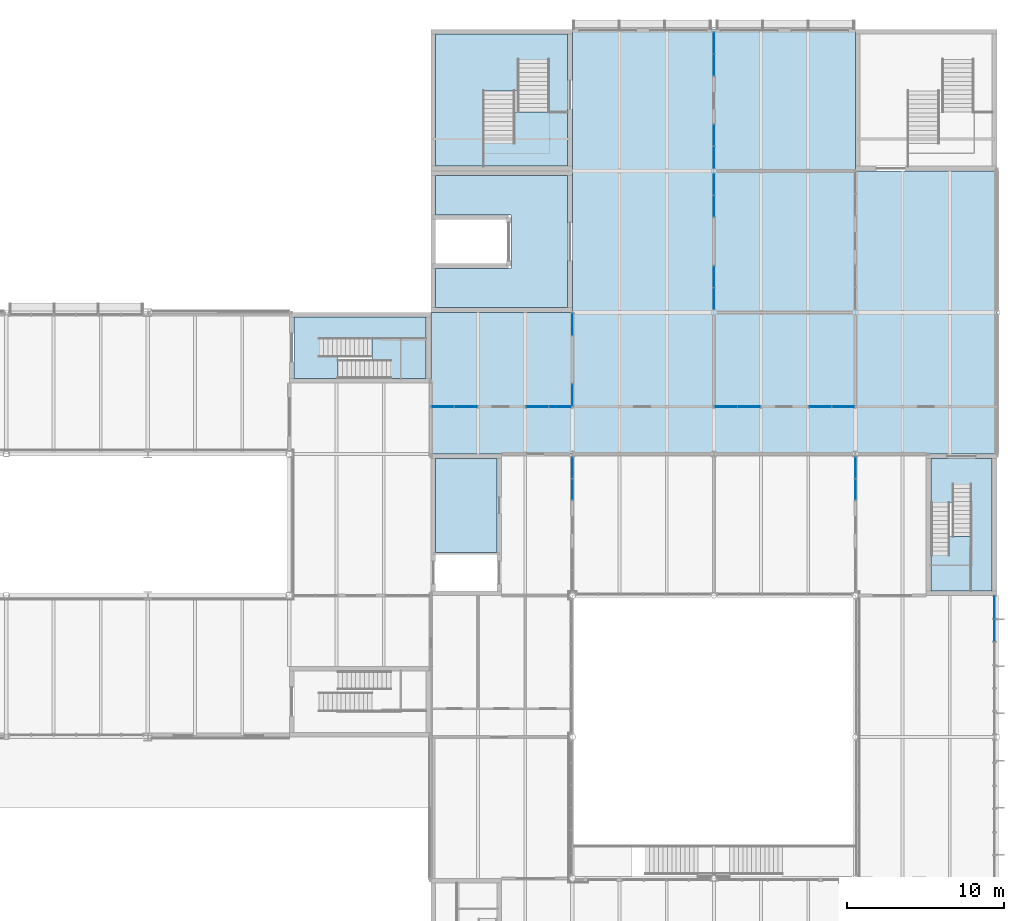
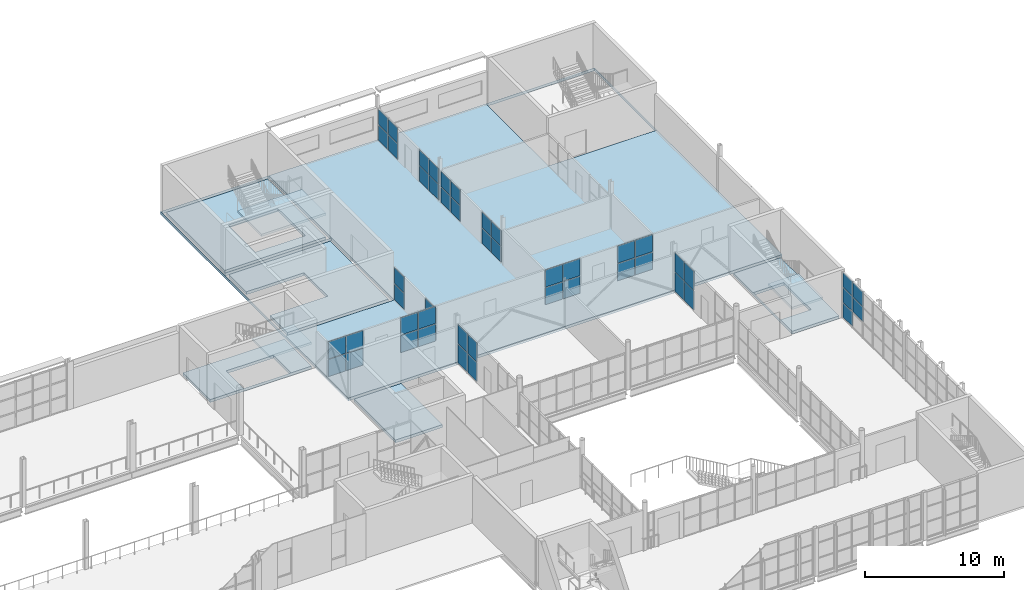
# One storey, part 31 of 57: 49 plates, 9 slabs, 16 elements without a shape of their own.
"""IFC4 building model written with IfcOpenShell, lengths in metres."""

import ifcopenshell
import ifcopenshell.guid

model = None  # the IFC model being written
_history = None  # IfcOwnerHistory: only IFC2X3 demands one
_inside = {}  # id of a spatial element -> (the spatial element, [elements in it])
_under = {}  # id of a project, library or spatial element -> (it, [spatial elements below it])
_declared = {}  # id of a project -> (the project, [libraries it declares])
_typed = {}  # id of a type object -> (the type object, [elements of that type])
_made_of = {}  # id of a material, layer set ... -> (it, [elements and type objects made of it])


def new_model(schema):
    """Start an empty IFC model of exactly this schema.

    Asked for "IFC4X3", IfcOpenShell would pick the latest addendum, in which some entities
    have other attributes; the version numbers below select the first issue.
    IFC2X3 requires an IfcOwnerHistory on every rooted entity: one is made here for all.
    """
    global model, _history
    if schema == "IFC4X3":
        model = ifcopenshell.file(schema_version=(4, 3, 0, 0))
    else:
        model = ifcopenshell.file(schema=schema)
    _inside.clear()
    _under.clear()
    _declared.clear()
    _typed.clear()
    _made_of.clear()
    _history = None
    if model.schema == "IFC2X3":
        org = make("IfcOrganization", Name="unknown")
        user = make(
            "IfcPersonAndOrganization",
            ThePerson=make("IfcPerson", FamilyName="unknown"),
            TheOrganization=org,
        )
        app = make(
            "IfcApplication",
            ApplicationDeveloper=org,
            Version="unknown",
            ApplicationFullName="unknown",
            ApplicationIdentifier="unknown",
        )
        _history = make(
            "IfcOwnerHistory",
            OwningUser=user,
            OwningApplication=app,
            ChangeAction="ADDED",
            CreationDate=0,
        )
    return model


def make(cls, **values):
    """One entity of the class cls with the attributes given. An attribute that is None is left unset."""
    return model.create_entity(
        cls, **{name: value for name, value in values.items() if value is not None}
    )


def rooted(cls, **values):
    """An entity with a GlobalId (a new one), such as an element, a storey or a relation."""
    return make(cls, GlobalId=ifcopenshell.guid.new(), OwnerHistory=_history, **values)


def si_unit(unit_type, name, prefix=None):
    """IfcSIUnit, for example si_unit("LENGTHUNIT", "METRE", prefix="MILLI")."""
    return make("IfcSIUnit", UnitType=unit_type, Prefix=prefix, Name=name)


def assignment(units):
    """IfcUnitAssignment: the units of a project."""
    return None if units is None else make("IfcUnitAssignment", Units=units)


def point(xyz):
    """IfcCartesianPoint."""
    return None if xyz is None else make("IfcCartesianPoint", Coordinates=xyz)


def direction(xyz):
    """IfcDirection."""
    return None if xyz is None else make("IfcDirection", DirectionRatios=xyz)


def frame(location, z_axis=None, x_axis=None):
    """IfcAxis2Placement3D, a coordinate frame: its origin and axes. An axis left out is left unset."""
    return make(
        "IfcAxis2Placement3D",
        Location=point(location),
        Axis=direction(z_axis),
        RefDirection=direction(x_axis),
    )


def frame_2d(location, x_axis=None):
    """IfcAxis2Placement2D, a coordinate frame in the plane: its origin and x axis."""
    return make(
        "IfcAxis2Placement2D", Location=point(location), RefDirection=direction(x_axis)
    )


def origin():
    """The frame at (0, 0, 0) with its axes left unset."""
    return frame((0.0, 0.0, 0.0))


def origin_2d():
    """The frame at (0, 0) in the plane with its x axis left unset."""
    return frame_2d((0.0, 0.0))


def place(relative_to, where):
    """IfcLocalPlacement: puts the frame where relative to a parent placement (None: the world)."""
    return make(
        "IfcLocalPlacement", PlacementRelTo=relative_to, RelativePlacement=where
    )


def context(
    kind, dimensions, precision=None, world=None, true_north=None, identifier=None
):
    """IfcGeometricRepresentationContext, for example the 3D "Model" context."""
    return make(
        "IfcGeometricRepresentationContext",
        ContextIdentifier=identifier,
        ContextType=kind,
        CoordinateSpaceDimension=dimensions,
        Precision=precision,
        WorldCoordinateSystem=world,
        TrueNorth=true_north,
    )


def subcontext(parent, identifier, kind, view, scale=None):
    """IfcGeometricRepresentationSubContext, for example "Body" below "Model"."""
    return make(
        "IfcGeometricRepresentationSubContext",
        ContextIdentifier=identifier,
        ContextType=kind,
        ParentContext=parent,
        TargetScale=scale,
        TargetView=view,
    )


def project(units=None, contexts=None):
    """IfcProject with its units and contexts."""
    return rooted(
        "IfcProject",
        Name="project",
        RepresentationContexts=contexts,
        UnitsInContext=assignment(units),
    )


def spatial(cls, under=None, at=None, **own):
    """A site, building, storey or space (cls), placed at a placement, below another one or the project."""
    s = rooted(cls, ObjectPlacement=at, **own)
    if under is not None:
        _under.setdefault(under.id(), (under, []))[1].append(s)
    return s


def polyline(points):
    """IfcPolyline through the points."""
    return make("IfcPolyline", Points=[point(p) for p in points])


def profile(cls, at=None, kind="AREA", **sizes):
    """A parametric profile (cls). Its sizes go by their IFC names, for example OverallWidth=200.0."""
    return make(cls, ProfileType=kind, Position=at, **sizes)


def rectangle(**sizes):
    """IfcRectangleProfileDef."""
    return profile("IfcRectangleProfileDef", **sizes)


def outline(outer, holes=None, kind="AREA"):
    """IfcArbitraryClosedProfileDef: a profile drawn as a closed curve; with holes, ...WithVoids."""
    if holes is None:
        return make("IfcArbitraryClosedProfileDef", ProfileType=kind, OuterCurve=outer)
    return make(
        "IfcArbitraryProfileDefWithVoids",
        ProfileType=kind,
        OuterCurve=outer,
        InnerCurves=holes,
    )


def extrude(swept, where, along, depth):
    """IfcExtrudedAreaSolid: the profile swept, set in the frame where, extruded along a direction by depth."""
    return make(
        "IfcExtrudedAreaSolid",
        SweptArea=swept,
        Position=where,
        ExtrudedDirection=direction(along),
        Depth=depth,
    )


def shape(context_of_items, identifier, shape_type, items):
    """IfcShapeRepresentation: the items that make up one representation, for example the "Body"."""
    return make(
        "IfcShapeRepresentation",
        ContextOfItems=context_of_items,
        RepresentationIdentifier=identifier,
        RepresentationType=shape_type,
        Items=items,
    )


def material(Name=None, Category=None):
    """IfcMaterial."""
    return make("IfcMaterial", Name=Name, Category=Category)


def layer(
    of_material, thickness, ventilated=None, Name=None, Category=None, Priority=None
):
    """IfcMaterialLayer: one layer of a wall or slab, of a material (None: an air gap)."""
    return make(
        "IfcMaterialLayer",
        Material=of_material,
        LayerThickness=thickness,
        IsVentilated=ventilated,
        Name=Name,
        Category=Category,
        Priority=Priority,
    )


def layer_set(layers, Name=None):
    """IfcMaterialLayerSet."""
    return make("IfcMaterialLayerSet", MaterialLayers=layers, LayerSetName=Name)


def made_of(thing, what):
    """Note that an element or type object is made of a material, layer set ...; save() writes the relation."""
    if what is not None:
        _made_of.setdefault(what.id(), (what, []))[1].append(thing)
    return thing


def type_object(cls, material=None, **own):
    """A type object (cls), such as IfcWallType, which elements share."""
    return made_of(rooted(cls, **own), material)


def element(
    cls,
    number,
    at=None,
    inside=None,
    cuts=None,
    type_object=None,
    material=None,
    context=None,
    identifier="Body",
    shape_type=None,
    held_by="IfcProductDefinitionShape",
    body=None,
    shapes=None,
    **own,
):
    """One element of the class cls, such as IfcWall. Its Tag is "e" and its number.

    at: its placement. inside: the storey or other place that contains it. cuts: it is an
    opening in that element (IfcRelVoidsElement). A single representation is given by context,
    identifier, shape_type and body (its items); several are given by shapes. held_by: the class
    of the entity that holds the representations. save() writes the other relations.
    """
    e = rooted(cls, Tag="e%d" % number, ObjectPlacement=at, **own)
    if body is not None:
        shapes = [shape(context, identifier, shape_type, body)]
    if shapes is not None:
        e.Representation = make(held_by, Representations=shapes)
    if inside is not None:
        _inside.setdefault(inside.id(), (inside, []))[1].append(e)
    if cuts is not None:
        rooted(
            "IfcRelVoidsElement", RelatingBuildingElement=cuts, RelatedOpeningElement=e
        )
    if type_object is not None:
        _typed.setdefault(type_object.id(), (type_object, []))[1].append(e)
    return made_of(e, material)


def aggregate(whole, parts):
    """IfcRelAggregates: a whole, such as a stair, and the parts it consists of."""
    return rooted("IfcRelAggregates", RelatingObject=whole, RelatedObjects=parts)


def save(model, path):
    """Write the relations noted so far, then the file.

    IfcRelAggregates (storeys below a building ...), IfcRelContainedInSpatialStructure (elements
    in a storey), IfcRelDefinesByType, IfcRelAssociatesMaterial and IfcRelDeclares: one each for
    every whole, place, type object, material and project.
    """
    for whole, parts in _under.values():
        aggregate(whole, parts)
    for where, things in _inside.values():
        rooted(
            "IfcRelContainedInSpatialStructure",
            RelatedElements=things,
            RelatingStructure=where,
        )
    for kind, things in _typed.values():
        rooted("IfcRelDefinesByType", RelatedObjects=things, RelatingType=kind)
    for what, things in _made_of.values():
        rooted("IfcRelAssociatesMaterial", RelatedObjects=things, RelatingMaterial=what)
    for by, libraries in _declared.values():
        rooted("IfcRelDeclares", RelatingContext=by, RelatedDefinitions=libraries)
    model.write(path)


model = new_model("IFC4")

# Units and contexts
model_context = context("Model", 3, precision=1e-05, world=origin(), true_north=direction((0.0, 1.0)))
body_context = subcontext(model_context, "Body", "Model", "MODEL_VIEW")
ifc_project = project(units=[si_unit("LENGTHUNIT", "METRE"), si_unit("AREAUNIT", "SQUARE_METRE"), si_unit("VOLUMEUNIT", "CUBIC_METRE"), si_unit("PLANEANGLEUNIT", "RADIAN"), si_unit("MASSUNIT", "GRAM", prefix="KILO")], contexts=[model_context])

# Site, building, storey
site_placement = place(None, origin())
site = spatial("IfcSite", under=ifc_project, at=site_placement, CompositionType="ELEMENT")
building_placement = place(site_placement, origin())
building = spatial("IfcBuilding", under=site, at=building_placement, Name="Halyard Row Museum", CompositionType="ELEMENT")
storey_placement = place(building_placement, frame((0.0, 0.0, 5.0)))
storey = spatial("IfcBuildingStorey", under=building, at=storey_placement, Name="L01", CompositionType="ELEMENT", Elevation=5.0)

# Slabs
ifc_material_1 = material(Name="Concrete 40 MPa", Category="concrete")
ifc_layer_1 = layer(ifc_material_1, 0.25)
ifc_layer_set_1 = layer_set([ifc_layer_1], Name="Concrete 40 MPa")
slab_type_1 = type_object("IfcSlabType", Name="Composite floor slab heavy duty", PredefinedType="FLOOR", material=ifc_layer_set_1)
slab_1_placement = place(storey_placement, frame((0.0, 0.0, -0.25)))
element("IfcSlab", 1, at=slab_1_placement, inside=storey, type_object=slab_type_1, Name="Floor slab L01-03", PredefinedType="FLOOR", context=body_context, shape_type="SweptSolid", body=[
    extrude(outline(polyline([(72.0, 36.0), (108.0, 36.0), (108.0, 63.0), (72.0, 63.0), (72.0, 36.0)]), holes=[polyline([(72.0048828125, 45.0048828125), (72.0048828125, 53.9951171875), (80.9951171875, 53.9951171875), (80.9951171875, 45.0048828125), (72.0048828125, 45.0048828125)]), polyline([(72.0048828125, 54.0048828125), (72.0048828125, 62.9951171875), (80.9951171875, 62.9951171875), (80.9951171875, 54.0048828125), (72.0048828125, 54.0048828125)]), polyline([(99.0048828125, 54.0048828125), (99.0048828125, 62.9951171875), (107.9951171875, 62.9951171875), (107.9951171875, 54.0048828125), (99.0048828125, 54.0048828125)])]), origin(), (0.0, 0.0, 1.0), 0.25),
])
ifc_material_2 = material(Name="Concrete 40 MPa", Category="concrete")
ifc_layer_2 = layer(ifc_material_2, 0.25)
ifc_layer_set_2 = layer_set([ifc_layer_2], Name="Concrete 40 MPa")
slab_type_2 = type_object("IfcSlabType", Name="Core floor slab 250", PredefinedType="FLOOR", material=ifc_layer_set_2)
slab_2_placement = place(storey_placement, frame((0.0, 0.0, -0.25)))
element("IfcSlab", 2, at=slab_2_placement, inside=storey, type_object=slab_type_2, Name="Core floor K1B L01", PredefinedType="FLOOR", context=body_context, shape_type="SweptSolid", body=[
    extrude(outline(polyline([(71.699951171875, 44.699951171875), (63.300048828125, 44.699951171875), (63.300048828125, 40.800048828125), (71.699951171875, 40.800048828125), (71.699951171875, 44.699951171875)]), holes=[polyline([(70.01708984375, 40.802978515625), (66.10302734375, 40.802978515625), (66.10302734375, 43.346923828125), (70.01708984375, 43.346923828125), (70.01708984375, 40.802978515625)])]), origin(), (0.0, 0.0, 1.0), 0.25),
])
slab_3_placement = place(storey_placement, frame((0.0, 0.0, -0.25)))
element("IfcSlab", 3, at=slab_3_placement, inside=storey, type_object=slab_type_2, Name="Core floor K2C L01", PredefinedType="FLOOR", context=body_context, shape_type="SweptSolid", body=[
    extrude(outline(polyline([(107.699951171875, 35.699951171875), (103.800048828125, 35.699951171875), (103.800048828125, 27.300048828125), (107.699951171875, 27.300048828125), (107.699951171875, 35.699951171875)]), holes=[polyline([(103.802978515625, 28.98291015625), (103.802978515625, 32.89697265625), (106.346923828125, 32.89697265625), (106.346923828125, 28.98291015625), (103.802978515625, 28.98291015625)])]), origin(), (0.0, 0.0, 1.0), 0.25),
])
slab_4_placement = place(storey_placement, frame((0.0, 0.0, -0.25)))
element("IfcSlab", 4, at=slab_4_placement, inside=storey, type_object=slab_type_2, Name="Core floor K5A L01", PredefinedType="FLOOR", context=body_context, shape_type="SweptSolid", body=[
    extrude(outline(polyline([(80.699951171875, 62.699951171875), (72.300048828125, 62.699951171875), (72.300048828125, 54.300048828125), (80.699951171875, 54.300048828125), (80.699951171875, 62.699951171875)]), holes=[polyline([(75.35302734375, 55.18310546875), (75.35302734375, 59.096923828125), (79.4970703125, 59.096923828125), (79.4970703125, 55.18310546875), (75.35302734375, 55.18310546875)])]), origin(), (0.0, 0.0, 1.0), 0.25),
])
slab_5_placement = place(storey_placement, frame((0.0, 0.0, -0.25)))
element("IfcSlab", 5, at=slab_5_placement, inside=storey, type_object=slab_type_2, Name="Core floor K8 L01", PredefinedType="FLOOR", context=body_context, shape_type="SweptSolid", body=[
    extrude(outline(polyline([(80.699951171875, 53.699951171875), (72.300048828125, 53.699951171875), (72.300048828125, 51.199951171875), (77.10009765625, 51.199951171875), (77.10009765625, 47.800048828125), (72.300048828125, 47.800048828125), (72.300048828125, 45.300048828125), (80.699951171875, 45.300048828125), (80.699951171875, 53.699951171875)])), origin(), (0.0, 0.0, 1.0), 0.25),
])
slab_6_placement = place(storey_placement, frame((0.0, 0.0, -0.25)))
element("IfcSlab", 6, at=slab_6_placement, inside=storey, type_object=slab_type_2, Name="Core floor K7 L01", PredefinedType="FLOOR", context=body_context, shape_type="SweptSolid", body=[
    extrude(outline(polyline([(76.199951171875, 35.699951171875), (72.300048828125, 35.699951171875), (72.300048828125, 29.75), (76.199951171875, 29.75), (76.199951171875, 35.699951171875)])), origin(), (0.0, 0.0, 1.0), 0.25),
])

# Curtain wall, plates
ifc_material_3 = material(Name="Double glazed unit, low-emissivity", Category="glass")
ifc_layer_3 = layer(ifc_material_3, 0.219970703125)
ifc_layer_set_3 = layer_set([ifc_layer_3], Name="Double glazed unit, low-emissivity")
curtain_wall_type_1 = type_object("IfcCurtainWallType", Name="Curtain wall unitised 220 deep", PredefinedType="NOTDEFINED", material=ifc_layer_set_3)
curtain_wall_1_placement = place(storey_placement, origin())
curtain_wall_1 = element("IfcCurtainWall", 7, at=curtain_wall_1_placement, inside=storey, type_object=curtain_wall_type_1, Name="Curtain wall CW021", PredefinedType="NOTDEFINED")
ifc_material_4 = material(Name="Double glazed unit, low-emissivity", Category="glass")
ifc_layer_4 = layer(ifc_material_4, 0.035888671875)
ifc_layer_set_4 = layer_set([ifc_layer_4], Name="Double glazed unit, low-emissivity")
plate_type_1 = type_object("IfcPlateType", Name="Curtain wall glazed panel CP3 36", PredefinedType="CURTAIN_PANEL", material=ifc_layer_set_4)
plate_1_placement = place(storey_placement, frame((107.840087890625, 24.78759765625, 1.375), z_axis=(0.0, 0.0, 1.0), x_axis=(0.0, 1.0, 0.0)))
plate_1 = element("IfcPlate", 8, at=plate_1_placement, type_object=plate_type_1, Name="CW021 panel 5.2", PredefinedType="CURTAIN_PANEL", context=body_context, shape_type="SweptSolid", body=[
    extrude(rectangle(XDim=1.4150390625, YDim=0.035888671875, at=origin_2d()), origin(), (0.0, 0.0, 1.0), 1.284912109375),
])
plate_2_placement = place(storey_placement, frame((107.840087890625, 24.78759765625, 2.719970703125), z_axis=(0.0, 0.0, 1.0), x_axis=(0.0, 1.0, 0.0)))
plate_2 = element("IfcPlate", 9, at=plate_2_placement, type_object=plate_type_1, Name="CW021 panel 5.3", PredefinedType="CURTAIN_PANEL", context=body_context, shape_type="SweptSolid", body=[
    extrude(rectangle(XDim=1.4150390625, YDim=0.035888671875, at=origin_2d()), origin(), (0.0, 0.0, 1.0), 1.2548828125),
])
plate_3_placement = place(storey_placement, frame((107.840087890625, 26.24755859375, 0.06005859375), z_axis=(0.0, 0.0, 1.0), x_axis=(0.0, 1.0, 0.0)))
plate_3 = element("IfcPlate", 10, at=plate_3_placement, type_object=plate_type_1, Name="CW021 panel 6.1", PredefinedType="CURTAIN_PANEL", context=body_context, shape_type="SweptSolid", body=[
    extrude(rectangle(XDim=1.385009765625, YDim=0.035888671875, at=origin_2d()), origin(), (0.0, 0.0, 1.0), 1.2548828125),
])
plate_4_placement = place(storey_placement, frame((107.840087890625, 26.24755859375, 1.375), z_axis=(0.0, 0.0, 1.0), x_axis=(0.0, 1.0, 0.0)))
plate_4 = element("IfcPlate", 11, at=plate_4_placement, type_object=plate_type_1, Name="CW021 panel 6.2", PredefinedType="CURTAIN_PANEL", context=body_context, shape_type="SweptSolid", body=[
    extrude(rectangle(XDim=1.385009765625, YDim=0.035888671875, at=origin_2d()), origin(), (0.0, 0.0, 1.0), 1.284912109375),
])
plate_5_placement = place(storey_placement, frame((107.840087890625, 26.24755859375, 2.719970703125), z_axis=(0.0, 0.0, 1.0), x_axis=(0.0, 1.0, 0.0)))
plate_5 = element("IfcPlate", 12, at=plate_5_placement, type_object=plate_type_1, Name="CW021 panel 6.3", PredefinedType="CURTAIN_PANEL", context=body_context, shape_type="SweptSolid", body=[
    extrude(rectangle(XDim=1.385009765625, YDim=0.035888671875, at=origin_2d()), origin(), (0.0, 0.0, 1.0), 1.2548828125),
])
aggregate(curtain_wall_1, [plate_1, plate_2, plate_3, plate_4, plate_5])

ifc_material_5 = material(Name="Fire-resisting laminated glazing", Category="glass")
ifc_layer_5 = layer(ifc_material_5, 0.159912109375)
ifc_layer_set_5 = layer_set([ifc_layer_5], Name="Fire-resisting laminated glazing")
curtain_wall_type_2 = type_object("IfcCurtainWallType", Name="Curtain wall atrium screen 160 deep", PredefinedType="NOTDEFINED", material=ifc_layer_set_5)
curtain_wall_2_placement = place(storey_placement, origin())
curtain_wall_2 = element("IfcCurtainWall", 13, at=curtain_wall_2_placement, inside=storey, type_object=curtain_wall_type_2, Name="Curtain wall CW145", PredefinedType="NOTDEFINED")
ifc_material_6 = material(Name="Fire-resisting laminated glazing", Category="glass")
ifc_layer_6 = layer(ifc_material_6, 0.0400390625)
ifc_layer_set_6 = layer_set([ifc_layer_6], Name="Fire-resisting laminated glazing")
plate_type_2 = type_object("IfcPlateType", Name="Curtain wall glazed panel CP5 40", PredefinedType="CURTAIN_PANEL", material=ifc_layer_set_6)
plate_6_placement = place(storey_placement, frame((81.0, 33.739013671875, 0.06005859375), z_axis=(0.0, 0.0, 1.0), x_axis=(0.0, 1.0, 0.0)))
plate_6 = element("IfcPlate", 14, at=plate_6_placement, type_object=plate_type_2, Name="CW145 panel 1.1", PredefinedType="CURTAIN_PANEL", context=body_context, shape_type="SweptSolid", body=[
    extrude(rectangle(XDim=1.318359375, YDim=0.0400390625, at=origin_2d()), origin(), (0.0, 0.0, 1.0), 1.660888671875),
])
plate_7_placement = place(storey_placement, frame((81.0, 33.739013671875, 1.78125), z_axis=(0.0, 0.0, 1.0), x_axis=(0.0, 1.0, 0.0)))
plate_7 = element("IfcPlate", 15, at=plate_7_placement, type_object=plate_type_2, Name="CW145 panel 1.2", PredefinedType="CURTAIN_PANEL", context=body_context, shape_type="SweptSolid", body=[
    extrude(rectangle(XDim=1.318359375, YDim=0.0400390625, at=origin_2d()), origin(), (0.0, 0.0, 1.0), 1.660888671875),
])
plate_8_placement = place(storey_placement, frame((81.0, 35.1171875, 0.06005859375), z_axis=(0.0, 0.0, 1.0), x_axis=(0.0, 1.0, 0.0)))
plate_8 = element("IfcPlate", 16, at=plate_8_placement, type_object=plate_type_2, Name="CW145 panel 2.1", PredefinedType="CURTAIN_PANEL", context=body_context, shape_type="SweptSolid", body=[
    extrude(rectangle(XDim=1.318359375, YDim=0.0400390625, at=origin_2d()), origin(), (0.0, 0.0, 1.0), 1.660888671875),
])
plate_9_placement = place(storey_placement, frame((81.0, 35.1171875, 1.78125), z_axis=(0.0, 0.0, 1.0), x_axis=(0.0, 1.0, 0.0)))
plate_9 = element("IfcPlate", 17, at=plate_9_placement, type_object=plate_type_2, Name="CW145 panel 2.2", PredefinedType="CURTAIN_PANEL", context=body_context, shape_type="SweptSolid", body=[
    extrude(rectangle(XDim=1.318359375, YDim=0.0400390625, at=origin_2d()), origin(), (0.0, 0.0, 1.0), 1.660888671875),
])
aggregate(curtain_wall_2, [plate_6, plate_7, plate_8, plate_9])

curtain_wall_3_placement = place(storey_placement, origin())
curtain_wall_3 = element("IfcCurtainWall", 18, at=curtain_wall_3_placement, inside=storey, type_object=curtain_wall_type_2, Name="Curtain wall CW147", PredefinedType="NOTDEFINED")
plate_10_placement = place(storey_placement, frame((99.0, 33.739013671875, 0.06005859375), z_axis=(0.0, 0.0, 1.0), x_axis=(0.0, 1.0, 0.0)))
plate_10 = element("IfcPlate", 19, at=plate_10_placement, type_object=plate_type_2, Name="CW147 panel 1.1", PredefinedType="CURTAIN_PANEL", context=body_context, shape_type="SweptSolid", body=[
    extrude(rectangle(XDim=1.318359375, YDim=0.0400390625, at=origin_2d()), origin(), (0.0, 0.0, 1.0), 1.660888671875),
])
plate_11_placement = place(storey_placement, frame((99.0, 33.739013671875, 1.78125), z_axis=(0.0, 0.0, 1.0), x_axis=(0.0, 1.0, 0.0)))
plate_11 = element("IfcPlate", 20, at=plate_11_placement, type_object=plate_type_2, Name="CW147 panel 1.2", PredefinedType="CURTAIN_PANEL", context=body_context, shape_type="SweptSolid", body=[
    extrude(rectangle(XDim=1.318359375, YDim=0.0400390625, at=origin_2d()), origin(), (0.0, 0.0, 1.0), 1.660888671875),
])
plate_12_placement = place(storey_placement, frame((99.0, 35.1171875, 0.06005859375), z_axis=(0.0, 0.0, 1.0), x_axis=(0.0, 1.0, 0.0)))
plate_12 = element("IfcPlate", 21, at=plate_12_placement, type_object=plate_type_2, Name="CW147 panel 2.1", PredefinedType="CURTAIN_PANEL", context=body_context, shape_type="SweptSolid", body=[
    extrude(rectangle(XDim=1.318359375, YDim=0.0400390625, at=origin_2d()), origin(), (0.0, 0.0, 1.0), 1.660888671875),
])
plate_13_placement = place(storey_placement, frame((99.0, 35.1171875, 1.78125), z_axis=(0.0, 0.0, 1.0), x_axis=(0.0, 1.0, 0.0)))
plate_13 = element("IfcPlate", 22, at=plate_13_placement, type_object=plate_type_2, Name="CW147 panel 2.2", PredefinedType="CURTAIN_PANEL", context=body_context, shape_type="SweptSolid", body=[
    extrude(rectangle(XDim=1.318359375, YDim=0.0400390625, at=origin_2d()), origin(), (0.0, 0.0, 1.0), 1.660888671875),
])
aggregate(curtain_wall_3, [plate_10, plate_11, plate_12, plate_13])

curtain_wall_4_placement = place(storey_placement, origin())
curtain_wall_4 = element("IfcCurtainWall", 23, at=curtain_wall_4_placement, inside=storey, type_object=curtain_wall_type_2, Name="Curtain wall CW148", PredefinedType="NOTDEFINED")
plate_14_placement = place(storey_placement, frame((72.764892578125, 39.0, 0.06005859375), z_axis=(0.0, 0.0, 1.0), x_axis=(1.0, 0.0, 0.0)))
plate_14 = element("IfcPlate", 24, at=plate_14_placement, type_object=plate_type_2, Name="CW148 panel 1.1", PredefinedType="CURTAIN_PANEL", context=body_context, shape_type="SweptSolid", body=[
    extrude(rectangle(XDim=1.409912109375, YDim=0.0400390625, at=origin_2d()), origin(), (0.0, 0.0, 1.0), 1.489013671875),
])
plate_15_placement = place(storey_placement, frame((72.764892578125, 39.0, 1.60888671875), z_axis=(0.0, 0.0, 1.0), x_axis=(1.0, 0.0, 0.0)))
plate_15 = element("IfcPlate", 25, at=plate_15_placement, type_object=plate_type_2, Name="CW148 panel 1.2", PredefinedType="CURTAIN_PANEL", context=body_context, shape_type="SweptSolid", body=[
    extrude(rectangle(XDim=1.409912109375, YDim=0.0400390625, at=origin_2d()), origin(), (0.0, 0.0, 1.0), 1.489013671875),
])
plate_16_placement = place(storey_placement, frame((74.235107421875, 39.0, 0.06005859375), z_axis=(0.0, 0.0, 1.0), x_axis=(1.0, 0.0, 0.0)))
plate_16 = element("IfcPlate", 26, at=plate_16_placement, type_object=plate_type_2, Name="CW148 panel 2.1", PredefinedType="CURTAIN_PANEL", context=body_context, shape_type="SweptSolid", body=[
    extrude(rectangle(XDim=1.409912109375, YDim=0.0400390625, at=origin_2d()), origin(), (0.0, 0.0, 1.0), 1.489013671875),
])
plate_17_placement = place(storey_placement, frame((74.235107421875, 39.0, 1.60888671875), z_axis=(0.0, 0.0, 1.0), x_axis=(1.0, 0.0, 0.0)))
plate_17 = element("IfcPlate", 27, at=plate_17_placement, type_object=plate_type_2, Name="CW148 panel 2.2", PredefinedType="CURTAIN_PANEL", context=body_context, shape_type="SweptSolid", body=[
    extrude(rectangle(XDim=1.409912109375, YDim=0.0400390625, at=origin_2d()), origin(), (0.0, 0.0, 1.0), 1.489013671875),
])
aggregate(curtain_wall_4, [plate_14, plate_15, plate_16, plate_17])

curtain_wall_5_placement = place(storey_placement, origin())
curtain_wall_5 = element("IfcCurtainWall", 28, at=curtain_wall_5_placement, inside=storey, type_object=curtain_wall_type_2, Name="Curtain wall CW149", PredefinedType="NOTDEFINED")
plate_18_placement = place(storey_placement, frame((78.764892578125, 39.0, 0.06005859375), z_axis=(0.0, 0.0, 1.0), x_axis=(1.0, 0.0, 0.0)))
plate_18 = element("IfcPlate", 29, at=plate_18_placement, type_object=plate_type_2, Name="CW149 panel 1.1", PredefinedType="CURTAIN_PANEL", context=body_context, shape_type="SweptSolid", body=[
    extrude(rectangle(XDim=1.409912109375, YDim=0.0400390625, at=origin_2d()), origin(), (0.0, 0.0, 1.0), 1.489013671875),
])
plate_19_placement = place(storey_placement, frame((78.764892578125, 39.0, 1.60888671875), z_axis=(0.0, 0.0, 1.0), x_axis=(1.0, 0.0, 0.0)))
plate_19 = element("IfcPlate", 30, at=plate_19_placement, type_object=plate_type_2, Name="CW149 panel 1.2", PredefinedType="CURTAIN_PANEL", context=body_context, shape_type="SweptSolid", body=[
    extrude(rectangle(XDim=1.409912109375, YDim=0.0400390625, at=origin_2d()), origin(), (0.0, 0.0, 1.0), 1.489013671875),
])
plate_20_placement = place(storey_placement, frame((80.235107421875, 39.0, 0.06005859375), z_axis=(0.0, 0.0, 1.0), x_axis=(1.0, 0.0, 0.0)))
plate_20 = element("IfcPlate", 31, at=plate_20_placement, type_object=plate_type_2, Name="CW149 panel 2.1", PredefinedType="CURTAIN_PANEL", context=body_context, shape_type="SweptSolid", body=[
    extrude(rectangle(XDim=1.409912109375, YDim=0.0400390625, at=origin_2d()), origin(), (0.0, 0.0, 1.0), 1.489013671875),
])
plate_21_placement = place(storey_placement, frame((80.235107421875, 39.0, 1.60888671875), z_axis=(0.0, 0.0, 1.0), x_axis=(1.0, 0.0, 0.0)))
plate_21 = element("IfcPlate", 32, at=plate_21_placement, type_object=plate_type_2, Name="CW149 panel 2.2", PredefinedType="CURTAIN_PANEL", context=body_context, shape_type="SweptSolid", body=[
    extrude(rectangle(XDim=1.409912109375, YDim=0.0400390625, at=origin_2d()), origin(), (0.0, 0.0, 1.0), 1.489013671875),
])
aggregate(curtain_wall_5, [plate_18, plate_19, plate_20, plate_21])

curtain_wall_6_placement = place(storey_placement, origin())
curtain_wall_6 = element("IfcCurtainWall", 33, at=curtain_wall_6_placement, inside=storey, type_object=curtain_wall_type_2, Name="Curtain wall CW150", PredefinedType="NOTDEFINED")
plate_22_placement = place(storey_placement, frame((90.764892578125, 39.0, 0.06005859375), z_axis=(0.0, 0.0, 1.0), x_axis=(1.0, 0.0, 0.0)))
plate_22 = element("IfcPlate", 34, at=plate_22_placement, type_object=plate_type_2, Name="CW150 panel 1.1", PredefinedType="CURTAIN_PANEL", context=body_context, shape_type="SweptSolid", body=[
    extrude(rectangle(XDim=1.409912109375, YDim=0.0400390625, at=origin_2d()), origin(), (0.0, 0.0, 1.0), 1.489013671875),
])
plate_23_placement = place(storey_placement, frame((90.764892578125, 39.0, 1.60888671875), z_axis=(0.0, 0.0, 1.0), x_axis=(1.0, 0.0, 0.0)))
plate_23 = element("IfcPlate", 35, at=plate_23_placement, type_object=plate_type_2, Name="CW150 panel 1.2", PredefinedType="CURTAIN_PANEL", context=body_context, shape_type="SweptSolid", body=[
    extrude(rectangle(XDim=1.409912109375, YDim=0.0400390625, at=origin_2d()), origin(), (0.0, 0.0, 1.0), 1.489013671875),
])
plate_24_placement = place(storey_placement, frame((92.235107421875, 39.0, 0.06005859375), z_axis=(0.0, 0.0, 1.0), x_axis=(1.0, 0.0, 0.0)))
plate_24 = element("IfcPlate", 36, at=plate_24_placement, type_object=plate_type_2, Name="CW150 panel 2.1", PredefinedType="CURTAIN_PANEL", context=body_context, shape_type="SweptSolid", body=[
    extrude(rectangle(XDim=1.409912109375, YDim=0.0400390625, at=origin_2d()), origin(), (0.0, 0.0, 1.0), 1.489013671875),
])
plate_25_placement = place(storey_placement, frame((92.235107421875, 39.0, 1.60888671875), z_axis=(0.0, 0.0, 1.0), x_axis=(1.0, 0.0, 0.0)))
plate_25 = element("IfcPlate", 37, at=plate_25_placement, type_object=plate_type_2, Name="CW150 panel 2.2", PredefinedType="CURTAIN_PANEL", context=body_context, shape_type="SweptSolid", body=[
    extrude(rectangle(XDim=1.409912109375, YDim=0.0400390625, at=origin_2d()), origin(), (0.0, 0.0, 1.0), 1.489013671875),
])
aggregate(curtain_wall_6, [plate_22, plate_23, plate_24, plate_25])

curtain_wall_7_placement = place(storey_placement, origin())
curtain_wall_7 = element("IfcCurtainWall", 38, at=curtain_wall_7_placement, inside=storey, type_object=curtain_wall_type_2, Name="Curtain wall CW151", PredefinedType="NOTDEFINED")
plate_26_placement = place(storey_placement, frame((96.764892578125, 39.0, 0.06005859375), z_axis=(0.0, 0.0, 1.0), x_axis=(1.0, 0.0, 0.0)))
plate_26 = element("IfcPlate", 39, at=plate_26_placement, type_object=plate_type_2, Name="CW151 panel 1.1", PredefinedType="CURTAIN_PANEL", context=body_context, shape_type="SweptSolid", body=[
    extrude(rectangle(XDim=1.409912109375, YDim=0.0400390625, at=origin_2d()), origin(), (0.0, 0.0, 1.0), 1.489013671875),
])
plate_27_placement = place(storey_placement, frame((96.764892578125, 39.0, 1.60888671875), z_axis=(0.0, 0.0, 1.0), x_axis=(1.0, 0.0, 0.0)))
plate_27 = element("IfcPlate", 40, at=plate_27_placement, type_object=plate_type_2, Name="CW151 panel 1.2", PredefinedType="CURTAIN_PANEL", context=body_context, shape_type="SweptSolid", body=[
    extrude(rectangle(XDim=1.409912109375, YDim=0.0400390625, at=origin_2d()), origin(), (0.0, 0.0, 1.0), 1.489013671875),
])
plate_28_placement = place(storey_placement, frame((98.235107421875, 39.0, 0.06005859375), z_axis=(0.0, 0.0, 1.0), x_axis=(1.0, 0.0, 0.0)))
plate_28 = element("IfcPlate", 41, at=plate_28_placement, type_object=plate_type_2, Name="CW151 panel 2.1", PredefinedType="CURTAIN_PANEL", context=body_context, shape_type="SweptSolid", body=[
    extrude(rectangle(XDim=1.409912109375, YDim=0.0400390625, at=origin_2d()), origin(), (0.0, 0.0, 1.0), 1.489013671875),
])
plate_29_placement = place(storey_placement, frame((98.235107421875, 39.0, 1.60888671875), z_axis=(0.0, 0.0, 1.0), x_axis=(1.0, 0.0, 0.0)))
plate_29 = element("IfcPlate", 42, at=plate_29_placement, type_object=plate_type_2, Name="CW151 panel 2.2", PredefinedType="CURTAIN_PANEL", context=body_context, shape_type="SweptSolid", body=[
    extrude(rectangle(XDim=1.409912109375, YDim=0.0400390625, at=origin_2d()), origin(), (0.0, 0.0, 1.0), 1.489013671875),
])
aggregate(curtain_wall_7, [plate_26, plate_27, plate_28, plate_29])

curtain_wall_8_placement = place(storey_placement, origin())
curtain_wall_8 = element("IfcCurtainWall", 43, at=curtain_wall_8_placement, inside=storey, type_object=curtain_wall_type_2, Name="Curtain wall CW152", PredefinedType="NOTDEFINED")
plate_30_placement = place(storey_placement, frame((81.0, 39.75, 0.06005859375), z_axis=(0.0, 0.0, 1.0), x_axis=(0.0, 1.0, 0.0)))
plate_30 = element("IfcPlate", 44, at=plate_30_placement, type_object=plate_type_2, Name="CW152 panel 1.1", PredefinedType="CURTAIN_PANEL", context=body_context, shape_type="SweptSolid", body=[
    extrude(rectangle(XDim=1.3798828125, YDim=0.0400390625, at=origin_2d()), origin(), (0.0, 0.0, 1.0), 1.385009765625),
])
plate_31_placement = place(storey_placement, frame((81.0, 39.75, 1.5048828125), z_axis=(0.0, 0.0, 1.0), x_axis=(0.0, 1.0, 0.0)))
plate_31 = element("IfcPlate", 45, at=plate_31_placement, type_object=plate_type_2, Name="CW152 panel 1.2", PredefinedType="CURTAIN_PANEL", context=body_context, shape_type="SweptSolid", body=[
    extrude(rectangle(XDim=1.3798828125, YDim=0.0400390625, at=origin_2d()), origin(), (0.0, 0.0, 1.0), 1.385009765625),
])
aggregate(curtain_wall_8, [plate_30, plate_31])

curtain_wall_9_placement = place(storey_placement, origin())
curtain_wall_9 = element("IfcCurtainWall", 46, at=curtain_wall_9_placement, inside=storey, type_object=curtain_wall_type_2, Name="Curtain wall CW153", PredefinedType="NOTDEFINED")
plate_32_placement = place(storey_placement, frame((81.0, 44.25, 0.06005859375), z_axis=(0.0, 0.0, 1.0), x_axis=(0.0, 1.0, 0.0)))
plate_32 = element("IfcPlate", 47, at=plate_32_placement, type_object=plate_type_2, Name="CW153 panel 1.1", PredefinedType="CURTAIN_PANEL", context=body_context, shape_type="SweptSolid", body=[
    extrude(rectangle(XDim=1.3798828125, YDim=0.0400390625, at=origin_2d()), origin(), (0.0, 0.0, 1.0), 1.385009765625),
])
plate_33_placement = place(storey_placement, frame((81.0, 44.25, 1.5048828125), z_axis=(0.0, 0.0, 1.0), x_axis=(0.0, 1.0, 0.0)))
plate_33 = element("IfcPlate", 48, at=plate_33_placement, type_object=plate_type_2, Name="CW153 panel 1.2", PredefinedType="CURTAIN_PANEL", context=body_context, shape_type="SweptSolid", body=[
    extrude(rectangle(XDim=1.3798828125, YDim=0.0400390625, at=origin_2d()), origin(), (0.0, 0.0, 1.0), 1.385009765625),
])
aggregate(curtain_wall_9, [plate_32, plate_33])

curtain_wall_10_placement = place(storey_placement, origin())
curtain_wall_10 = element("IfcCurtainWall", 49, at=curtain_wall_10_placement, inside=storey, type_object=curtain_wall_type_2, Name="Curtain wall CW154", PredefinedType="NOTDEFINED")
plate_34_placement = place(storey_placement, frame((90.0, 45.8837890625, 0.06005859375), z_axis=(0.0, 0.0, 1.0), x_axis=(0.0, 1.0, 0.0)))
plate_34 = element("IfcPlate", 50, at=plate_34_placement, type_object=plate_type_2, Name="CW154 panel 1.1", PredefinedType="CURTAIN_PANEL", context=body_context, shape_type="SweptSolid", body=[
    extrude(rectangle(XDim=1.33984375, YDim=0.0400390625, at=origin_2d()), origin(), (0.0, 0.0, 1.0), 1.339111328125),
])
plate_35_placement = place(storey_placement, frame((90.0, 45.8837890625, 1.458984375), z_axis=(0.0, 0.0, 1.0), x_axis=(0.0, 1.0, 0.0)))
plate_35 = element("IfcPlate", 51, at=plate_35_placement, type_object=plate_type_2, Name="CW154 panel 1.2", PredefinedType="CURTAIN_PANEL", context=body_context, shape_type="SweptSolid", body=[
    extrude(rectangle(XDim=1.33984375, YDim=0.0400390625, at=origin_2d()), origin(), (0.0, 0.0, 1.0), 1.339111328125),
])
plate_36_placement = place(storey_placement, frame((90.0, 47.28369140625, 0.06005859375), z_axis=(0.0, 0.0, 1.0), x_axis=(0.0, 1.0, 0.0)))
plate_36 = element("IfcPlate", 52, at=plate_36_placement, type_object=plate_type_2, Name="CW154 panel 2.1", PredefinedType="CURTAIN_PANEL", context=body_context, shape_type="SweptSolid", body=[
    extrude(rectangle(XDim=1.33984375, YDim=0.0400390625, at=origin_2d()), origin(), (0.0, 0.0, 1.0), 1.339111328125),
])
plate_37_placement = place(storey_placement, frame((90.0, 47.28369140625, 1.458984375), z_axis=(0.0, 0.0, 1.0), x_axis=(0.0, 1.0, 0.0)))
plate_37 = element("IfcPlate", 53, at=plate_37_placement, type_object=plate_type_2, Name="CW154 panel 2.2", PredefinedType="CURTAIN_PANEL", context=body_context, shape_type="SweptSolid", body=[
    extrude(rectangle(XDim=1.33984375, YDim=0.0400390625, at=origin_2d()), origin(), (0.0, 0.0, 1.0), 1.339111328125),
])
aggregate(curtain_wall_10, [plate_34, plate_35, plate_36, plate_37])

curtain_wall_11_placement = place(storey_placement, origin())
curtain_wall_11 = element("IfcCurtainWall", 54, at=curtain_wall_11_placement, inside=storey, type_object=curtain_wall_type_2, Name="Curtain wall CW155", PredefinedType="NOTDEFINED")
plate_38_placement = place(storey_placement, frame((90.0, 51.743408203125, 0.06005859375), z_axis=(0.0, 0.0, 1.0), x_axis=(0.0, 1.0, 0.0)))
plate_38 = element("IfcPlate", 55, at=plate_38_placement, type_object=plate_type_2, Name="CW155 panel 1.1", PredefinedType="CURTAIN_PANEL", context=body_context, shape_type="SweptSolid", body=[
    extrude(rectangle(XDim=1.33984375, YDim=0.0400390625, at=origin_2d()), origin(), (0.0, 0.0, 1.0), 1.339111328125),
])
plate_39_placement = place(storey_placement, frame((90.0, 51.743408203125, 1.458984375), z_axis=(0.0, 0.0, 1.0), x_axis=(0.0, 1.0, 0.0)))
plate_39 = element("IfcPlate", 56, at=plate_39_placement, type_object=plate_type_2, Name="CW155 panel 1.2", PredefinedType="CURTAIN_PANEL", context=body_context, shape_type="SweptSolid", body=[
    extrude(rectangle(XDim=1.33984375, YDim=0.0400390625, at=origin_2d()), origin(), (0.0, 0.0, 1.0), 1.339111328125),
])
plate_40_placement = place(storey_placement, frame((90.0, 53.143310546875, 0.06005859375), z_axis=(0.0, 0.0, 1.0), x_axis=(0.0, 1.0, 0.0)))
plate_40 = element("IfcPlate", 57, at=plate_40_placement, type_object=plate_type_2, Name="CW155 panel 2.1", PredefinedType="CURTAIN_PANEL", context=body_context, shape_type="SweptSolid", body=[
    extrude(rectangle(XDim=1.33984375, YDim=0.0400390625, at=origin_2d()), origin(), (0.0, 0.0, 1.0), 1.339111328125),
])
plate_41_placement = place(storey_placement, frame((90.0, 53.143310546875, 1.458984375), z_axis=(0.0, 0.0, 1.0), x_axis=(0.0, 1.0, 0.0)))
plate_41 = element("IfcPlate", 58, at=plate_41_placement, type_object=plate_type_2, Name="CW155 panel 2.2", PredefinedType="CURTAIN_PANEL", context=body_context, shape_type="SweptSolid", body=[
    extrude(rectangle(XDim=1.33984375, YDim=0.0400390625, at=origin_2d()), origin(), (0.0, 0.0, 1.0), 1.339111328125),
])
aggregate(curtain_wall_11, [plate_38, plate_39, plate_40, plate_41])

curtain_wall_12_placement = place(storey_placement, origin())
curtain_wall_12 = element("IfcCurtainWall", 59, at=curtain_wall_12_placement, inside=storey, type_object=curtain_wall_type_2, Name="Curtain wall CW158", PredefinedType="NOTDEFINED")
plate_42_placement = place(storey_placement, frame((90.0, 54.8603515625, 0.06005859375), z_axis=(0.0, 0.0, 1.0), x_axis=(0.0, 1.0, 0.0)))
plate_42 = element("IfcPlate", 60, at=plate_42_placement, type_object=plate_type_2, Name="CW158 panel 1.1", PredefinedType="CURTAIN_PANEL", context=body_context, shape_type="SweptSolid", body=[
    extrude(rectangle(XDim=1.346923828125, YDim=0.0400390625, at=origin_2d()), origin(), (0.0, 0.0, 1.0), 1.339111328125),
])
plate_43_placement = place(storey_placement, frame((90.0, 54.8603515625, 1.458984375), z_axis=(0.0, 0.0, 1.0), x_axis=(0.0, 1.0, 0.0)))
plate_43 = element("IfcPlate", 61, at=plate_43_placement, type_object=plate_type_2, Name="CW158 panel 1.2", PredefinedType="CURTAIN_PANEL", context=body_context, shape_type="SweptSolid", body=[
    extrude(rectangle(XDim=1.346923828125, YDim=0.0400390625, at=origin_2d()), origin(), (0.0, 0.0, 1.0), 1.339111328125),
])
plate_44_placement = place(storey_placement, frame((90.0, 56.267333984375, 0.06005859375), z_axis=(0.0, 0.0, 1.0), x_axis=(0.0, 1.0, 0.0)))
plate_44 = element("IfcPlate", 62, at=plate_44_placement, type_object=plate_type_2, Name="CW158 panel 2.1", PredefinedType="CURTAIN_PANEL", context=body_context, shape_type="SweptSolid", body=[
    extrude(rectangle(XDim=1.346923828125, YDim=0.0400390625, at=origin_2d()), origin(), (0.0, 0.0, 1.0), 1.339111328125),
])
plate_45_placement = place(storey_placement, frame((90.0, 56.267333984375, 1.458984375), z_axis=(0.0, 0.0, 1.0), x_axis=(0.0, 1.0, 0.0)))
plate_45 = element("IfcPlate", 63, at=plate_45_placement, type_object=plate_type_2, Name="CW158 panel 2.2", PredefinedType="CURTAIN_PANEL", context=body_context, shape_type="SweptSolid", body=[
    extrude(rectangle(XDim=1.346923828125, YDim=0.0400390625, at=origin_2d()), origin(), (0.0, 0.0, 1.0), 1.339111328125),
])
aggregate(curtain_wall_12, [plate_42, plate_43, plate_44, plate_45])

curtain_wall_13_placement = place(storey_placement, origin())
curtain_wall_13 = element("IfcCurtainWall", 64, at=curtain_wall_13_placement, inside=storey, type_object=curtain_wall_type_2, Name="Curtain wall CW159", PredefinedType="NOTDEFINED")
plate_46_placement = place(storey_placement, frame((90.0, 60.734375, 0.06005859375), z_axis=(0.0, 0.0, 1.0), x_axis=(0.0, 1.0, 0.0)))
plate_46 = element("IfcPlate", 65, at=plate_46_placement, type_object=plate_type_2, Name="CW159 panel 1.1", PredefinedType="CURTAIN_PANEL", context=body_context, shape_type="SweptSolid", body=[
    extrude(rectangle(XDim=1.346923828125, YDim=0.0400390625, at=origin_2d()), origin(), (0.0, 0.0, 1.0), 1.339111328125),
])
plate_47_placement = place(storey_placement, frame((90.0, 60.734375, 1.458984375), z_axis=(0.0, 0.0, 1.0), x_axis=(0.0, 1.0, 0.0)))
plate_47 = element("IfcPlate", 66, at=plate_47_placement, type_object=plate_type_2, Name="CW159 panel 1.2", PredefinedType="CURTAIN_PANEL", context=body_context, shape_type="SweptSolid", body=[
    extrude(rectangle(XDim=1.346923828125, YDim=0.0400390625, at=origin_2d()), origin(), (0.0, 0.0, 1.0), 1.339111328125),
])
plate_48_placement = place(storey_placement, frame((90.0, 62.1416015625, 0.06005859375), z_axis=(0.0, 0.0, 1.0), x_axis=(0.0, 1.0, 0.0)))
plate_48 = element("IfcPlate", 67, at=plate_48_placement, type_object=plate_type_2, Name="CW159 panel 2.1", PredefinedType="CURTAIN_PANEL", context=body_context, shape_type="SweptSolid", body=[
    extrude(rectangle(XDim=1.346923828125, YDim=0.0400390625, at=origin_2d()), origin(), (0.0, 0.0, 1.0), 1.339111328125),
])
plate_49_placement = place(storey_placement, frame((90.0, 62.1416015625, 1.458984375), z_axis=(0.0, 0.0, 1.0), x_axis=(0.0, 1.0, 0.0)))
plate_49 = element("IfcPlate", 68, at=plate_49_placement, type_object=plate_type_2, Name="CW159 panel 2.2", PredefinedType="CURTAIN_PANEL", context=body_context, shape_type="SweptSolid", body=[
    extrude(rectangle(XDim=1.346923828125, YDim=0.0400390625, at=origin_2d()), origin(), (0.0, 0.0, 1.0), 1.339111328125),
])
aggregate(curtain_wall_13, [plate_46, plate_47, plate_48, plate_49])

# Stair, slab
ifc_material_7 = material(Name="Concrete 40 MPa", Category="concrete")
stair_type_1 = type_object("IfcStairType", Name="Exit stair two flights 1200", PredefinedType="HALF_TURN_STAIR", material=ifc_material_7)
stair_1_placement = place(storey_placement, origin())
stair_1 = element("IfcStair", 69, at=stair_1_placement, inside=storey, type_object=stair_type_1, Name="Exit stair K1B L01", PredefinedType="HALF_TURN_STAIR")
ifc_material_8 = material(Name="Concrete 40 MPa", Category="concrete")
ifc_layer_7 = layer(ifc_material_8, 0.199951171875)
ifc_layer_set_7 = layer_set([ifc_layer_7], Name="Concrete 40 MPa")
slab_type_3 = type_object("IfcSlabType", Name="Exit stair landing 200", PredefinedType="LANDING", material=ifc_layer_set_7)
slab_7_placement = place(storey_placement, frame((0.0, 0.0, 1.89990234375)))
slab_7 = element("IfcSlab", 70, at=slab_7_placement, type_object=slab_type_3, Name="STK1B-L01 landing 1", PredefinedType="LANDING", context=body_context, shape_type="SweptSolid", body=[
    extrude(outline(polyline([(68.260009765625, 43.35009765625), (68.260009765625, 40.800048828125), (71.699951171875, 40.800048828125), (71.699951171875, 43.35009765625), (68.260009765625, 43.35009765625)])), origin(), (0.0, 0.0, 1.0), 0.2001953125),
])
aggregate(stair_1, [slab_7])

stair_2_placement = place(storey_placement, origin())
stair_2 = element("IfcStair", 71, at=stair_2_placement, inside=storey, type_object=stair_type_1, Name="Exit stair K2C L01", PredefinedType="HALF_TURN_STAIR")
slab_8_placement = place(storey_placement, frame((0.0, 0.0, 1.89990234375)))
slab_8 = element("IfcSlab", 72, at=slab_8_placement, type_object=slab_type_3, Name="STK2C-L01 landing 1", PredefinedType="LANDING", context=body_context, shape_type="SweptSolid", body=[
    extrude(outline(polyline([(106.35009765625, 30.739990234375), (103.800048828125, 30.739990234375), (103.800048828125, 27.300048828125), (106.35009765625, 27.300048828125), (106.35009765625, 30.739990234375)])), origin(), (0.0, 0.0, 1.0), 0.2001953125),
])
aggregate(stair_2, [slab_8])

ifc_material_9 = material(Name="Concrete 40 MPa", Category="concrete")
stair_type_2 = type_object("IfcStairType", Name="Exit stair two flights 2000", PredefinedType="HALF_TURN_STAIR", material=ifc_material_9)
stair_3_placement = place(storey_placement, origin())
stair_3 = element("IfcStair", 73, at=stair_3_placement, inside=storey, type_object=stair_type_2, Name="Exit stair K5A L01", PredefinedType="HALF_TURN_STAIR")
slab_9_placement = place(storey_placement, frame((0.0, 0.0, 1.89990234375)))
slab_9 = element("IfcSlab", 74, at=slab_9_placement, type_object=slab_type_3, Name="STK5A-L01 landing 1", PredefinedType="LANDING", context=body_context, shape_type="SweptSolid", body=[
    extrude(outline(polyline([(80.699951171875, 57.739990234375), (75.35009765625, 57.739990234375), (75.35009765625, 54.300048828125), (80.699951171875, 54.300048828125), (80.699951171875, 57.739990234375)])), origin(), (0.0, 0.0, 1.0), 0.2001953125),
])
aggregate(stair_3, [slab_9])

save(model, "model.ifc")
